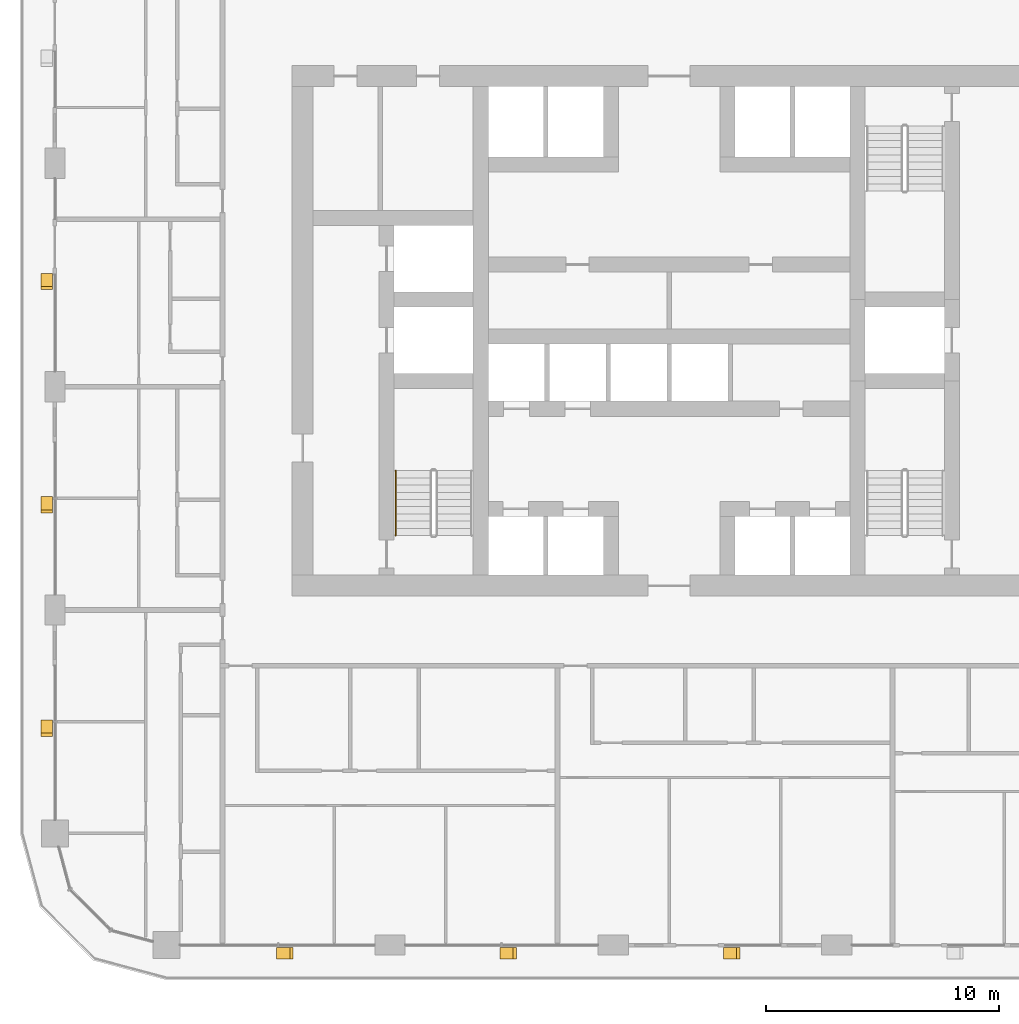
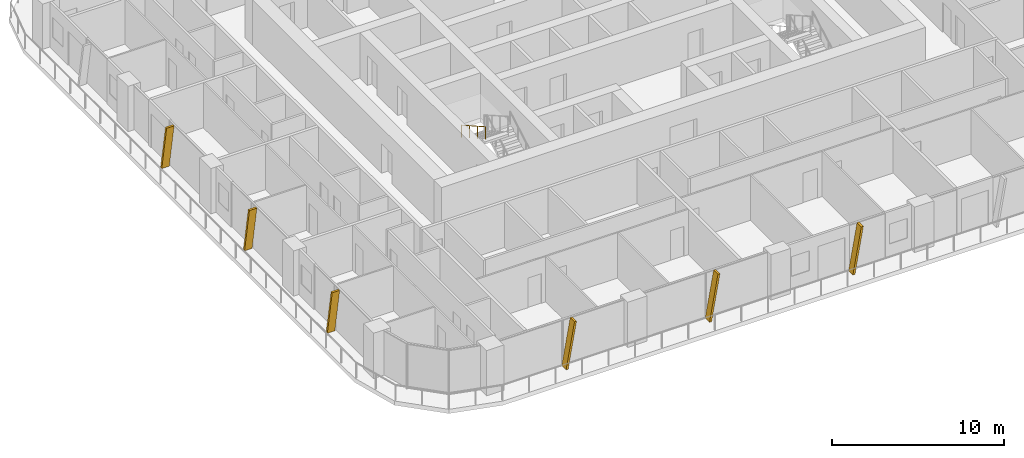
# One storey, part 17 of 22: 6 shading devices, 1 railing.
"""IFC4 building model written with IfcOpenShell, lengths in metres."""

from ifc_helpers import new_model, si_unit, direction, frame, origin, origin_2d, place, context, subcontext, project, spatial, polyline, circle, outline, extrude, material, type_object, element, save


model = new_model("IFC4")

# Units and contexts
model_context = context("Model", 3, precision=1e-05, world=origin(), true_north=direction((0.0, 1.0)))
body_context = subcontext(model_context, "Body", "Model", "MODEL_VIEW")
ifc_project = project(units=[si_unit("LENGTHUNIT", "METRE"), si_unit("AREAUNIT", "SQUARE_METRE"), si_unit("VOLUMEUNIT", "CUBIC_METRE"), si_unit("PLANEANGLEUNIT", "RADIAN"), si_unit("MASSUNIT", "GRAM", prefix="KILO")], contexts=[model_context])

# Site, building, storey
site_placement = place(None, origin())
site = spatial("IfcSite", under=ifc_project, at=site_placement, CompositionType="ELEMENT")
building_placement = place(site_placement, origin())
building = spatial("IfcBuilding", under=site, at=building_placement, Name="Madar Terraces", CompositionType="ELEMENT")
storey_placement = place(building_placement, frame((0.0, 0.0, 62.800048828125)))
storey = spatial("IfcBuildingStorey", under=building, at=storey_placement, Name="L15", CompositionType="ELEMENT", Elevation=62.800048828125)

# Shading devices
ifc_material_1 = material(Name="Aluminium, black anodised", Category="aluminium")
shading_device_type = type_object("IfcShadingDeviceType", Name="Facade fin blade 140 x 500", PredefinedType="USERDEFINED", material=ifc_material_1)
shading_device_1_placement = place(storey_placement, frame((14.330078125, -0.35009765625, 0.0), z_axis=(0.0, 0.0, 1.0), x_axis=(1.0, 0.0, 0.0)))
element("IfcShadingDevice", 1, at=shading_device_1_placement, inside=storey, type_object=shading_device_type, Name="FIN L15 S1", ObjectType="FIN", PredefinedType="USERDEFINED", context=body_context, shape_type="SweptSolid", body=[
    extrude(outline(polyline([(0.0, 0.0), (0.139892578125, 0.0), (0.704345703125, 3.199951171875), (0.564208984375, 3.199951171875), (0.0, 0.0)])), frame((0.0, 0.25, 0.0), z_axis=(0.0, -1.0, 0.0), x_axis=(1.0, 0.0, 0.0)), (0.0, 0.0, 1.0), 0.5),
])
shading_device_2_placement = place(storey_placement, frame((23.929931640625, -0.35009765625, 0.0), z_axis=(0.0, 0.0, 1.0), x_axis=(1.0, 0.0, 0.0)))
element("IfcShadingDevice", 2, at=shading_device_2_placement, inside=storey, type_object=shading_device_type, Name="FIN L15 S2", ObjectType="FIN", PredefinedType="USERDEFINED", context=body_context, shape_type="SweptSolid", body=[
    extrude(outline(polyline([(0.0, 0.0), (0.14013671875, 0.0), (0.704345703125, 3.199951171875), (0.564208984375, 3.199951171875), (0.0, 0.0)])), frame((0.0, 0.25, 0.0), z_axis=(0.0, -1.0, 0.0), x_axis=(1.0, 0.0, 0.0)), (0.0, 0.0, 1.0), 0.5),
])
shading_device_3_placement = place(storey_placement, frame((33.530029296875, -0.35009765625, 0.0), z_axis=(0.0, 0.0, 1.0), x_axis=(1.0, 0.0, 0.0)))
element("IfcShadingDevice", 3, at=shading_device_3_placement, inside=storey, type_object=shading_device_type, Name="FIN L15 S3", ObjectType="FIN", PredefinedType="USERDEFINED", context=body_context, shape_type="SweptSolid", body=[
    extrude(outline(polyline([(0.0, 0.0), (0.139892578125, 0.0), (0.704345703125, 3.199951171875), (0.564208984375, 3.199951171875), (0.0, 0.0)])), frame((0.0, 0.25, 0.0), z_axis=(0.0, -1.0, 0.0), x_axis=(1.0, 0.0, 0.0)), (0.0, 0.0, 1.0), 0.5),
])
for number, where, z_axis, x_axis, name in (
    (4, (4.449951171875, 28.8701171875, 0.0), (0.0, 0.0, 1.0), (0.0, -1.0, 0.0), "FIN L15 W2"),
    (5, (4.449951171875, 19.27001953125, 0.0), (0.0, 0.0, 1.0), (0.0, -1.0, 0.0), "FIN L15 W3"),
):
    element("IfcShadingDevice", number, at=place(storey_placement, frame(where, z_axis=z_axis, x_axis=x_axis)), inside=storey, type_object=shading_device_type, Name=name, ObjectType="FIN", PredefinedType="USERDEFINED", context=body_context, shape_type="SweptSolid", body=[
        extrude(outline(polyline([(0.0, 0.0), (0.14013671875, 0.0), (0.704345703125, 3.199951171875), (0.564208984375, 3.199951171875), (0.0, 0.0)])), frame((0.0, 0.25, 0.0), z_axis=(0.0, -1.0, 0.0), x_axis=(1.0, 0.0, 0.0)), (0.0, 0.0, 1.0), 0.5),
    ])
shading_device_4_placement = place(storey_placement, frame((4.449951171875, 9.669921875, 0.0), z_axis=(0.0, 0.0, 1.0), x_axis=(0.0, -1.0, 0.0)))
element("IfcShadingDevice", 6, at=shading_device_4_placement, inside=storey, type_object=shading_device_type, Name="FIN L15 W4", ObjectType="FIN", PredefinedType="USERDEFINED", context=body_context, shape_type="SweptSolid", body=[
    extrude(outline(polyline([(0.0, 0.0), (0.139892578125, 0.0), (0.704345703125, 3.199951171875), (0.564208984375, 3.199951171875), (0.0, 0.0)])), frame((0.0, 0.25, 0.0), z_axis=(0.0, -1.0, 0.0), x_axis=(1.0, 0.0, 0.0)), (0.0, 0.0, 1.0), 0.5),
])

# Railing
ifc_material_2 = material(Name="Stainless steel railing", Category="steel")
railing_type = type_object("IfcRailingType", Name="Stair handrail 900", PredefinedType="HANDRAIL", material=ifc_material_2)
railing_placement = place(storey_placement, frame((19.449951171875, 20.389892578125, 1.925048828125)))
element("IfcRailing", 7, at=railing_placement, inside=storey, type_object=railing_type, Name="L15 ST1 stair handrail 2", PredefinedType="HANDRAIL", context=body_context, shape_type="SweptSolid", body=[
    extrude(circle(Radius=0.02392578125, at=origin_2d()), frame((0.0, 0.0, 0.8759765625), z_axis=(0.0, -0.870815363784, 0.491610213684), x_axis=(1.0, 0.0, 0.0)), (0.0, 0.0, 1.0), 3.20361328125),
    extrude(circle(Radius=0.02099609375, at=origin_2d()), origin(), (0.0, 0.0, 1.0), 0.851806640625),
    extrude(circle(Radius=0.02099609375, at=origin_2d()), frame((0.0, -0.929931640625, 0.52490234375)), (0.0, 0.0, 1.0), 0.851806640625),
    extrude(circle(Radius=0.02099609375, at=origin_2d()), frame((0.0, -1.85986328125, 1.050048828125)), (0.0, 0.0, 1.0), 0.851806640625),
    extrude(circle(Radius=0.02099609375, at=origin_2d()), frame((0.0, -2.789794921875, 1.574951171875)), (0.0, 0.0, 1.0), 0.851806640625),
])

save(model, "model.ifc")
